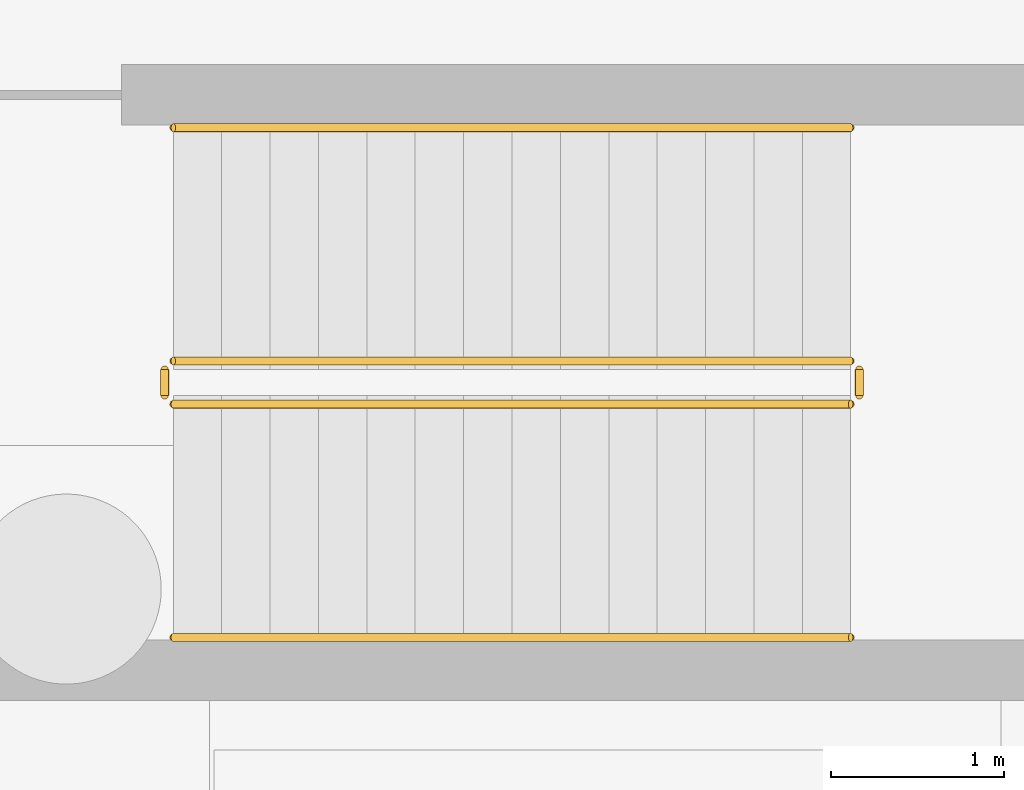
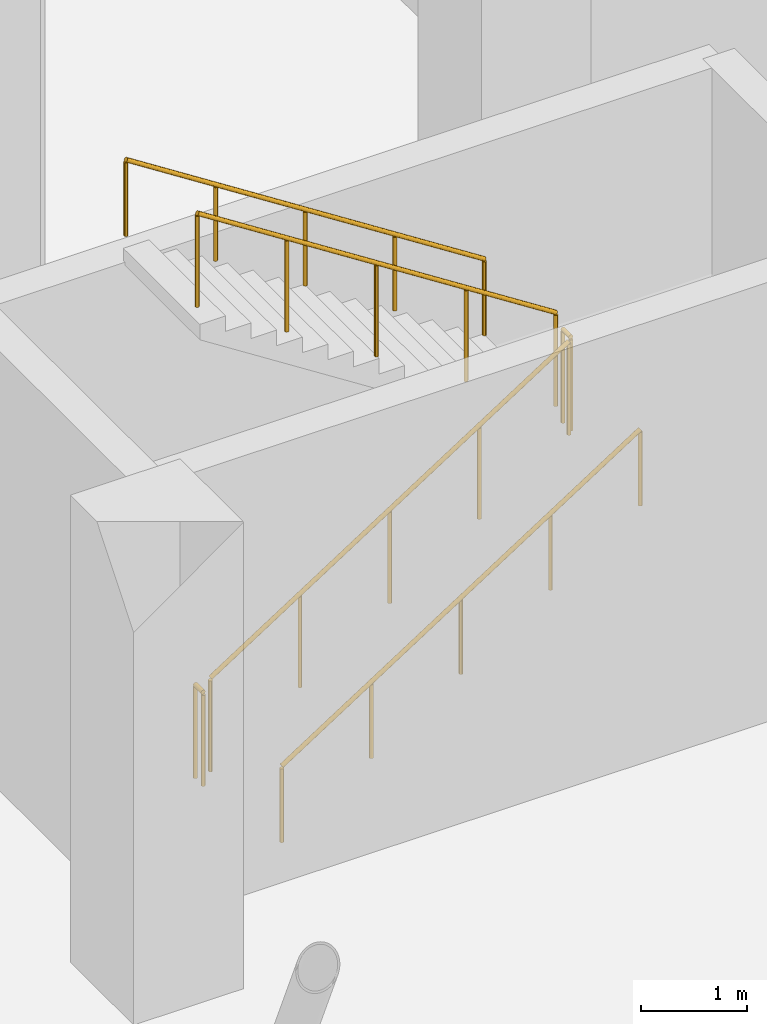
# One storey, part 34 of 42: 6 railings.
"""IFC4 building model written with IfcOpenShell, lengths in metres."""

from ifc_helpers import new_model, si_unit, direction, frame, origin, origin_2d, place, context, subcontext, project, spatial, circle, extrude, material, type_object, element, save


model = new_model("IFC4")

# Units and contexts
model_context = context("Model", 3, precision=1e-05, world=origin(), true_north=direction((0.0, 1.0)))
body_context = subcontext(model_context, "Body", "Model", "MODEL_VIEW")
ifc_project = project(units=[si_unit("LENGTHUNIT", "METRE"), si_unit("AREAUNIT", "SQUARE_METRE"), si_unit("VOLUMEUNIT", "CUBIC_METRE"), si_unit("PLANEANGLEUNIT", "RADIAN"), si_unit("MASSUNIT", "GRAM", prefix="KILO")], contexts=[model_context])

# Site, building, storey
site_placement = place(None, origin())
site = spatial("IfcSite", under=ifc_project, at=site_placement, CompositionType="ELEMENT")
building_placement = place(site_placement, origin())
building = spatial("IfcBuilding", under=site, at=building_placement, Name="Sundgate Opera House", CompositionType="ELEMENT")
storey_placement = place(building_placement, frame((0.0, 0.0, -5.39990234375)))
storey = spatial("IfcBuildingStorey", under=building, at=storey_placement, Name="B01", CompositionType="ELEMENT", Elevation=-5.39990234375)

# Railings
ifc_material_1 = material(Name="Painted steel S275 guardrail", Category="steel")
railing_type_1 = type_object("IfcRailingType", Name="RL-STAIR-GUARD-1100", PredefinedType="GUARDRAIL", material=ifc_material_1)
railing_1_placement = place(storey_placement, frame((38.0, 44.449951171875, 0.179931640625)))
element("IfcRailing", 1, at=railing_1_placement, inside=storey, type_object=railing_type_1, Name="ST01B01 Guardrail RL0010", PredefinedType="GUARDRAIL", context=body_context, shape_type="SweptSolid", body=[
    extrude(circle(Radius=0.02392578125, at=origin_2d()), frame((0.0, 0.0, 1.076171875), z_axis=(0.841171666519, 0.0, 0.540768182723), x_axis=(0.0, 1.0, 0.0)), (0.0, 0.0, 1.0), 4.66015625),
    extrude(circle(Radius=0.02099609375, at=origin_2d()), origin(), (0.0, 0.0, 1.0), 1.052001953125),
    extrude(circle(Radius=0.02099609375, at=origin_2d()), frame((0.97998046875, 0.0, 0.6298828125)), (0.0, 0.0, 1.0), 1.052001953125),
    extrude(circle(Radius=0.02099609375, at=origin_2d()), frame((1.9599609375, 0.0, 1.260009765625)), (0.0, 0.0, 1.0), 1.052001953125),
    extrude(circle(Radius=0.02099609375, at=origin_2d()), frame((2.93994140625, 0.0, 1.89013671875)), (0.0, 0.0, 1.0), 1.052001953125),
    extrude(circle(Radius=0.02099609375, at=origin_2d()), frame((3.919921875, 0.0, 2.52001953125)), (0.0, 0.0, 1.0), 1.052001953125),
])
railing_2_placement = place(storey_placement, frame((41.969970703125, 44.5, 2.699951171875)))
element("IfcRailing", 2, at=railing_2_placement, inside=storey, type_object=railing_type_1, Name="ST01B01 Guardrail RL0011", PredefinedType="GUARDRAIL", context=body_context, shape_type="SweptSolid", body=[
    extrude(circle(Radius=0.02392578125, at=origin_2d()), frame((0.0, 0.0, 1.076171875), z_axis=(0.0, 1.0, 0.0), x_axis=(-1.0, 0.0, 0.0)), (0.0, 0.0, 1.0), 0.14990234375),
    extrude(circle(Radius=0.02099609375, at=origin_2d()), origin(), (0.0, 0.0, 1.0), 1.052001953125),
    extrude(circle(Radius=0.02099609375, at=origin_2d()), frame((0.0, 0.14990234375, 0.0)), (0.0, 0.0, 1.0), 1.052001953125),
])
railing_3_placement = place(storey_placement, frame((41.919921875, 44.699951171875, 2.8798828125)))
element("IfcRailing", 3, at=railing_3_placement, inside=storey, type_object=railing_type_1, Name="ST01B01 Guardrail RL0012", PredefinedType="GUARDRAIL", context=body_context, shape_type="SweptSolid", body=[
    extrude(circle(Radius=0.02392578125, at=origin_2d()), frame((0.0, 0.0, 1.076171875), z_axis=(-0.841171666519, 0.0, 0.540768182723), x_axis=(0.0, -1.0, 0.0)), (0.0, 0.0, 1.0), 4.66015625),
    extrude(circle(Radius=0.02099609375, at=origin_2d()), origin(), (0.0, 0.0, 1.0), 1.052001953125),
    extrude(circle(Radius=0.02099609375, at=origin_2d()), frame((-0.97998046875, 0.0, 0.6298828125)), (0.0, 0.0, 1.0), 1.052001953125),
    extrude(circle(Radius=0.02099609375, at=origin_2d()), frame((-1.9599609375, 0.0, 1.260009765625)), (0.0, 0.0, 1.0), 1.052001953125),
    extrude(circle(Radius=0.02099609375, at=origin_2d()), frame((-2.93994140625, 0.0, 1.89013671875)), (0.0, 0.0, 1.0), 1.052001953125),
    extrude(circle(Radius=0.02099609375, at=origin_2d()), frame((-3.919921875, 0.0, 2.52001953125)), (0.0, 0.0, 1.0), 1.052001953125),
])
railing_4_placement = place(storey_placement, frame((37.949951171875, 44.5, 0.0)))
element("IfcRailing", 4, at=railing_4_placement, inside=storey, type_object=railing_type_1, Name="ST01B01 Guardrail RL0013", PredefinedType="GUARDRAIL", context=body_context, shape_type="SweptSolid", body=[
    extrude(circle(Radius=0.02392578125, at=origin_2d()), frame((0.0, 0.0, 1.076171875), z_axis=(0.0, 1.0, 0.0), x_axis=(-1.0, 0.0, 0.0)), (0.0, 0.0, 1.0), 0.14990234375),
    extrude(circle(Radius=0.02099609375, at=origin_2d()), origin(), (0.0, 0.0, 1.0), 1.052001953125),
    extrude(circle(Radius=0.02099609375, at=origin_2d()), frame((0.0, 0.14990234375, 0.0)), (0.0, 0.0, 1.0), 1.052001953125),
])
ifc_material_2 = material(Name="Brushed stainless steel handrail", Category="steel")
railing_type_2 = type_object("IfcRailingType", Name="RL-STAIR-HAND-900", PredefinedType="HANDRAIL", material=ifc_material_2)
railing_5_placement = place(storey_placement, frame((38.0, 43.10009765625, 0.179931640625)))
element("IfcRailing", 5, at=railing_5_placement, inside=storey, type_object=railing_type_2, Name="ST01B01 Handrail RL0014", PredefinedType="HANDRAIL", context=body_context, shape_type="SweptSolid", body=[
    extrude(circle(Radius=0.02392578125, at=origin_2d()), frame((0.0, 0.0, 0.8759765625), z_axis=(0.841171666519, 0.0, 0.540768182723), x_axis=(0.0, 1.0, 0.0)), (0.0, 0.0, 1.0), 4.66015625),
    extrude(circle(Radius=0.02099609375, at=origin_2d()), origin(), (0.0, 0.0, 1.0), 0.851806640625),
    extrude(circle(Radius=0.02099609375, at=origin_2d()), frame((0.97998046875, 0.0, 0.6298828125)), (0.0, 0.0, 1.0), 0.851806640625),
    extrude(circle(Radius=0.02099609375, at=origin_2d()), frame((1.9599609375, 0.0, 1.260009765625)), (0.0, 0.0, 1.0), 0.851806640625),
    extrude(circle(Radius=0.02099609375, at=origin_2d()), frame((2.93994140625, 0.0, 1.89013671875)), (0.0, 0.0, 1.0), 0.851806640625),
    extrude(circle(Radius=0.02099609375, at=origin_2d()), frame((3.919921875, 0.0, 2.52001953125)), (0.0, 0.0, 1.0), 0.851806640625),
])
railing_6_placement = place(storey_placement, frame((41.919921875, 46.050048828125, 2.8798828125)))
element("IfcRailing", 6, at=railing_6_placement, inside=storey, type_object=railing_type_2, Name="ST01B01 Handrail RL0015", PredefinedType="HANDRAIL", context=body_context, shape_type="SweptSolid", body=[
    extrude(circle(Radius=0.02392578125, at=origin_2d()), frame((0.0, 0.0, 0.8759765625), z_axis=(-0.841171666519, 0.0, 0.540768182723), x_axis=(0.0, -1.0, 0.0)), (0.0, 0.0, 1.0), 4.66015625),
    extrude(circle(Radius=0.02099609375, at=origin_2d()), origin(), (0.0, 0.0, 1.0), 0.851806640625),
    extrude(circle(Radius=0.02099609375, at=origin_2d()), frame((-0.97998046875, 0.0, 0.6298828125)), (0.0, 0.0, 1.0), 0.851806640625),
    extrude(circle(Radius=0.02099609375, at=origin_2d()), frame((-1.9599609375, 0.0, 1.260009765625)), (0.0, 0.0, 1.0), 0.851806640625),
    extrude(circle(Radius=0.02099609375, at=origin_2d()), frame((-2.93994140625, 0.0, 1.89013671875)), (0.0, 0.0, 1.0), 0.851806640625),
    extrude(circle(Radius=0.02099609375, at=origin_2d()), frame((-3.919921875, 0.0, 2.52001953125)), (0.0, 0.0, 1.0), 0.851806640625),
])

save(model, "model.ifc")
